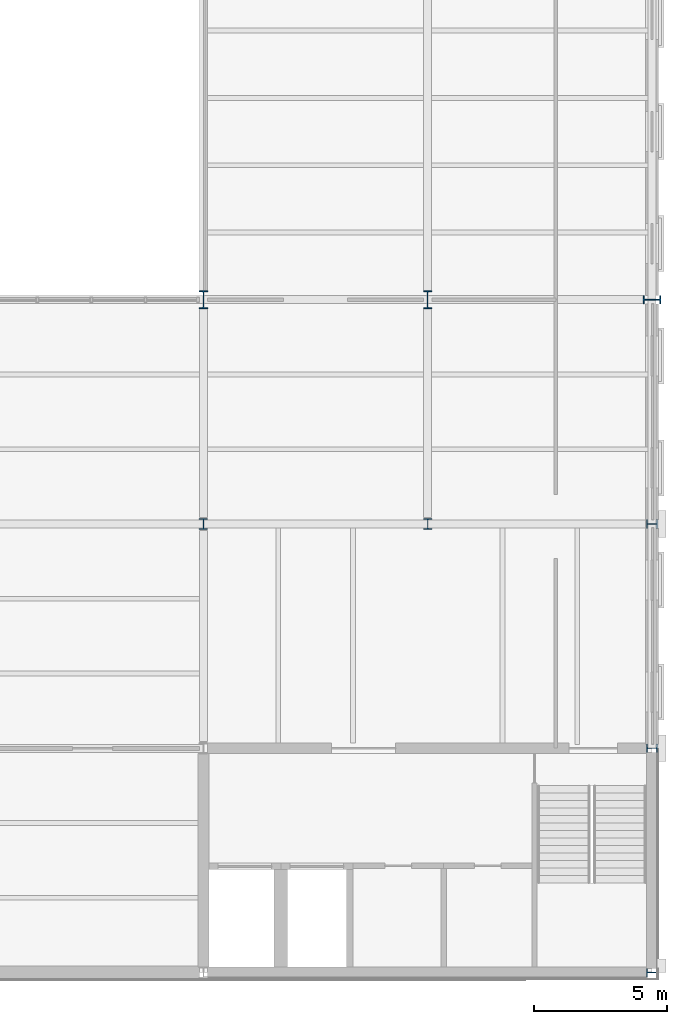
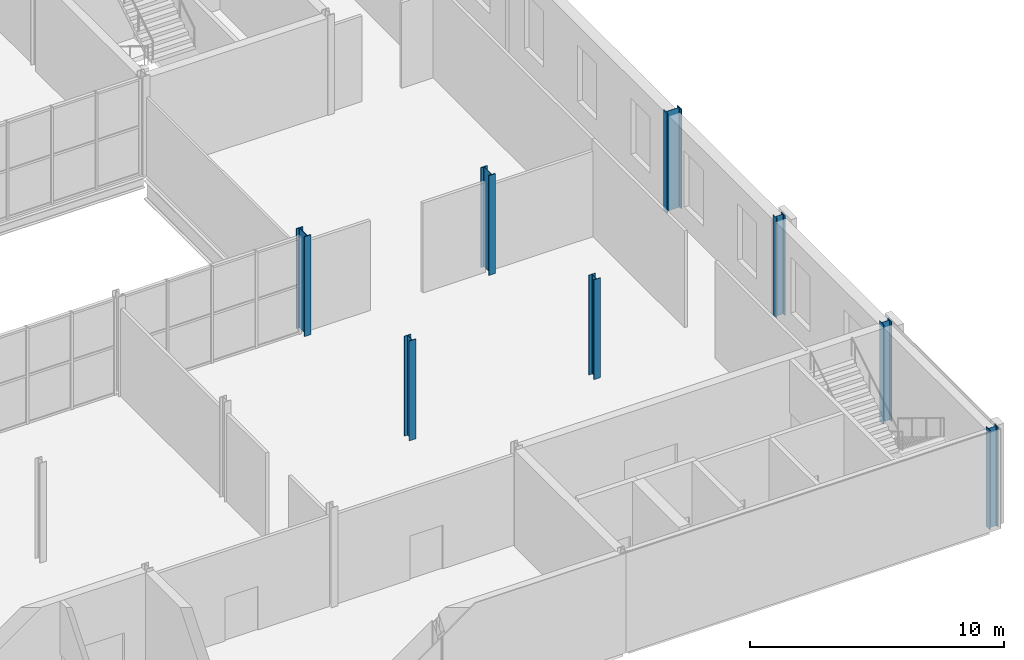
# One storey, part 6 of 52: 8 columns.
"""IFC4 building model written with IfcOpenShell, lengths in metres."""

from ifc_helpers import new_model, si_unit, direction, frame, origin, origin_2d, place, context, subcontext, project, spatial, i_section, extrude, material, material_profile, profile_set, type_object, element, save


model = new_model("IFC4")

# Units and contexts
model_context = context("Model", 3, precision=1e-05, world=origin(), true_north=direction((0.0, 1.0)))
body_context = subcontext(model_context, "Body", "Model", "MODEL_VIEW")
ifc_project = project(units=[si_unit("LENGTHUNIT", "METRE"), si_unit("AREAUNIT", "SQUARE_METRE"), si_unit("VOLUMEUNIT", "CUBIC_METRE"), si_unit("PLANEANGLEUNIT", "RADIAN"), si_unit("MASSUNIT", "GRAM", prefix="KILO")], contexts=[model_context])

# Site, building, storey
site_placement = place(None, origin())
site = spatial("IfcSite", under=ifc_project, at=site_placement, CompositionType="ELEMENT")
building_placement = place(site_placement, origin())
building = spatial("IfcBuilding", under=site, at=building_placement, Name="Galleria Vessillo Department Store", CompositionType="ELEMENT")
storey_placement = place(building_placement, frame((0.0, 0.0, 16.199951171875)))
storey = spatial("IfcBuildingStorey", under=building, at=storey_placement, Name="L03", CompositionType="ELEMENT", Elevation=16.199951171875)

# Columns
ifc_material_1 = material(Name="Steel S355 J2", Category="steel")
ifc_material_profile_1 = material_profile(ifc_material_1, i_section(OverallWidth=0.300048828125, OverallDepth=0.39990234375, WebThickness=0.013427734375, FlangeThickness=0.02392578125, FilletRadius=0.027099609375, at=origin_2d()), Name="HEB 400")
ifc_profile_set_1 = profile_set([ifc_material_profile_1], Name="Steel S355 J2")
column_type_1 = type_object("IfcColumnType", Name="Steel column HEB 400 CP2", PredefinedType="COLUMN", material=ifc_profile_set_1)
for number, where, z_axis, x_axis, name in (
    (1, (100.800048828125, 16.800048828125, 0.0), (0.0, 0.0, 1.0), (1.0, 0.0, 0.0), "S-COL-L03-13-C"),
    (2, (109.199951171875, 16.800048828125, 0.0), (0.0, 0.0, 1.0), (1.0, 0.0, 0.0), "S-COL-L03-14-C"),
    (3, (117.60009765625, 0.0, 0.0), (0.0, 0.0, 1.0), (0.0, 1.0, 0.0), "S-COL-L03-15-A"),
    (4, (117.60009765625, 8.39990234375, 0.0), (0.0, 0.0, 1.0), (0.0, 1.0, 0.0), "S-COL-L03-15-B"),
    (5, (117.60009765625, 16.800048828125, 0.0), (0.0, 0.0, 1.0), (0.0, 1.0, 0.0), "S-COL-L03-15-C"),
):
    element("IfcColumn", number, at=place(storey_placement, frame(where, z_axis=z_axis, x_axis=x_axis)), inside=storey, type_object=column_type_1, Name=name, PredefinedType="COLUMN", context=body_context, shape_type="SweptSolid", body=[
        extrude(i_section(OverallWidth=0.300048828125, OverallDepth=0.39990234375, WebThickness=0.013427734375, FlangeThickness=0.02392578125, FilletRadius=0.027099609375, at=origin_2d()), origin(), (0.0, 0.0, 1.0), 4.800048828125),
    ])
ifc_material_2 = material(Name="Steel S355 J2", Category="steel")
ifc_material_profile_2 = material_profile(ifc_material_2, i_section(OverallWidth=0.304931640625, OverallDepth=0.66796875, WebThickness=0.02099609375, FlangeThickness=0.0400390625, FilletRadius=0.027099609375, at=origin_2d()), Name="HEM 650")
ifc_profile_set_2 = profile_set([ifc_material_profile_2], Name="Steel S355 J2")
column_type_2 = type_object("IfcColumnType", Name="Steel column HEM 650 CV3", PredefinedType="COLUMN", material=ifc_profile_set_2)
for number, where, z_axis, x_axis, name in (
    (6, (100.800048828125, 25.199951171875, 0.0), (0.0, 0.0, 1.0), (1.0, 0.0, 0.0), "S-COL-L03-13-D"),
    (7, (109.199951171875, 25.199951171875, 0.0), (0.0, 0.0, 1.0), (1.0, 0.0, 0.0), "S-COL-L03-14-D"),
    (8, (117.60009765625, 25.199951171875, 0.0), (0.0, 0.0, 1.0), (0.0, 1.0, 0.0), "S-COL-L03-15-D"),
):
    element("IfcColumn", number, at=place(storey_placement, frame(where, z_axis=z_axis, x_axis=x_axis)), inside=storey, type_object=column_type_2, Name=name, PredefinedType="COLUMN", context=body_context, shape_type="SweptSolid", body=[
        extrude(i_section(OverallWidth=0.304931640625, OverallDepth=0.66796875, WebThickness=0.02099609375, FlangeThickness=0.0400390625, FilletRadius=0.027099609375, at=origin_2d()), origin(), (0.0, 0.0, 1.0), 4.800048828125),
    ])

save(model, "model.ifc")
